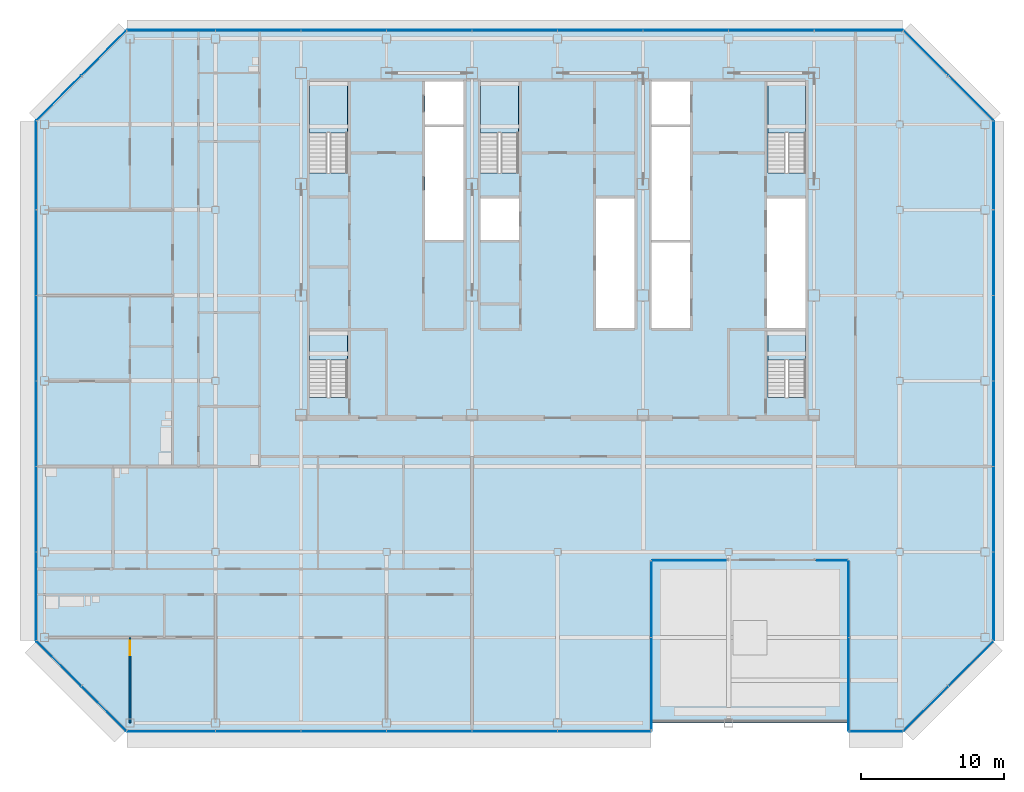
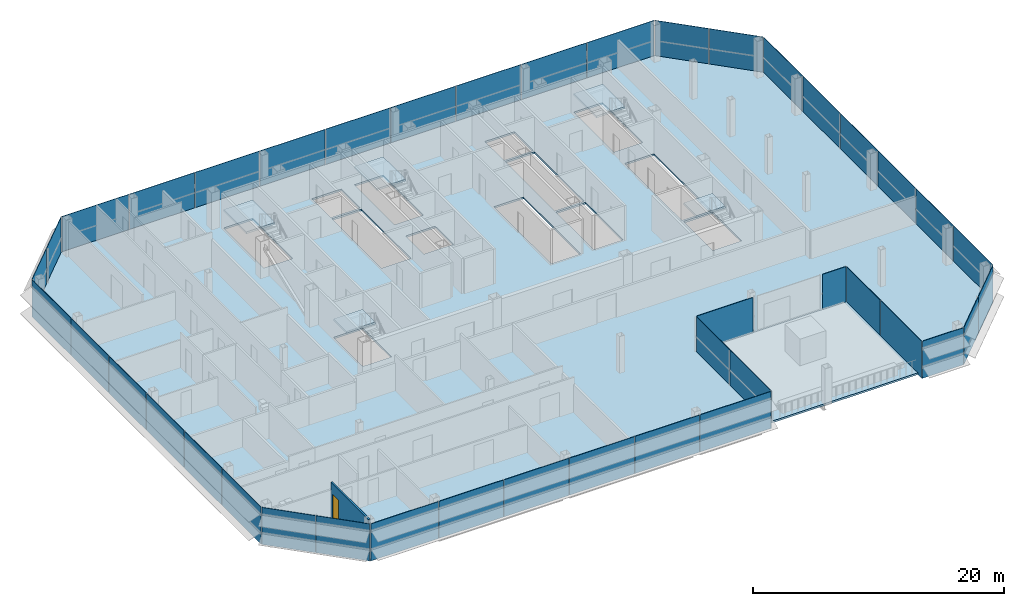
# One storey, part 21 of 30: 42 plates, 7 slabs, 1 door, 1 wall, 1 opening, 17 elements without a shape of their own.
"""IFC4 building model written with IfcOpenShell, lengths in metres."""

from ifc_helpers import new_model, si_unit, direction, frame, frame_2d, origin, origin_2d, place, context, subcontext, project, spatial, polyline, rectangle, outline, extrude, material, layer, layer_set, type_object, element, fill, aggregate, save


model = new_model("IFC4")

# Units and contexts
model_context = context("Model", 3, precision=1e-05, world=origin(), true_north=direction((0.0, 1.0)))
body_context = subcontext(model_context, "Body", "Model", "MODEL_VIEW")
ifc_project = project(units=[si_unit("LENGTHUNIT", "METRE"), si_unit("AREAUNIT", "SQUARE_METRE"), si_unit("VOLUMEUNIT", "CUBIC_METRE"), si_unit("PLANEANGLEUNIT", "RADIAN"), si_unit("MASSUNIT", "GRAM", prefix="KILO")], contexts=[model_context])

# Site, building, storey
site_placement = place(None, origin())
site = spatial("IfcSite", under=ifc_project, at=site_placement, CompositionType="ELEMENT")
building_placement = place(site_placement, origin())
building = spatial("IfcBuilding", under=site, at=building_placement, Name="Sorahane Residences", CompositionType="ELEMENT")
storey_placement = place(building_placement, frame((0.0, 0.0, 263.0)))
storey = spatial("IfcBuildingStorey", under=building, at=storey_placement, Name="L62", CompositionType="ELEMENT", Elevation=263.0)

# Slab
ifc_material_1 = material(Name="Concrete C35", Category="concrete")
ifc_layer_1 = layer(ifc_material_1, 0.179931640625)
ifc_layer_set_1 = layer_set([ifc_layer_1], Name="Composite floor slab 180 mm Concrete C35")
slab_type_1 = type_object("IfcSlabType", Name="Composite floor slab 180 mm Concrete C35", PredefinedType="FLOOR", material=ifc_layer_set_1)
slab_1_placement = place(storey_placement, frame((0.0, 0.0, -0.179931640625)))
element("IfcSlab", 1, at=slab_1_placement, inside=storey, type_object=slab_type_1, Name="Slab L62", PredefinedType="FLOOR", context=body_context, shape_type="SweptSolid", body=[
    extrude(outline(polyline([(-6.24853515625, -0.60009765625), (-12.60009765625, 5.75146484375), (-12.60009765625, 42.24853515625), (-6.24853515625, 48.60009765625), (48.24853515625, 48.60009765625), (54.60009765625, 42.24853515625), (54.60009765625, 5.75146484375), (48.24853515625, -0.60009765625), (44.39990234375, -0.60009765625), (44.39990234375, 11.39990234375), (30.60009765625, 11.39990234375), (30.60009765625, -0.60009765625), (-6.24853515625, -0.60009765625)]), holes=[polyline([(38.699951171875, 27.699951171875), (41.39990234375, 27.699951171875), (41.39990234375, 36.800048828125), (38.699951171875, 36.800048828125), (38.699951171875, 27.699951171875)]), polyline([(30.60009765625, 27.699951171875), (33.300048828125, 27.699951171875), (33.300048828125, 33.699951171875), (30.60009765625, 33.699951171875), (30.60009765625, 27.699951171875)]), polyline([(30.60009765625, 42.0), (33.300048828125, 42.0), (33.300048828125, 45.0), (30.60009765625, 45.0), (30.60009765625, 42.0)]), polyline([(14.699951171875, 42.0), (17.39990234375, 42.0), (17.39990234375, 45.0), (14.699951171875, 45.0), (14.699951171875, 42.0)]), polyline([(9.25, 38.60009765625), (9.25, 45.0), (6.60009765625, 45.0), (6.60009765625, 38.60009765625), (9.25, 38.60009765625)]), polyline([(41.39990234375, 38.60009765625), (41.39990234375, 45.0), (38.75, 45.0), (38.75, 38.60009765625), (41.39990234375, 38.60009765625)]), polyline([(21.25, 38.60009765625), (21.25, 45.0), (18.60009765625, 45.0), (18.60009765625, 38.60009765625), (21.25, 38.60009765625)]), polyline([(9.25, 22.85009765625), (9.25, 27.5), (6.60009765625, 27.5), (6.60009765625, 22.85009765625), (9.25, 22.85009765625)]), polyline([(41.39990234375, 22.85009765625), (41.39990234375, 27.5), (38.75, 27.5), (38.75, 22.85009765625), (41.39990234375, 22.85009765625)]), polyline([(14.699951171875, 33.89990234375), (17.39990234375, 33.89990234375), (17.39990234375, 41.800048828125), (14.699951171875, 41.800048828125), (14.699951171875, 33.89990234375)]), polyline([(30.60009765625, 33.89990234375), (33.300048828125, 33.89990234375), (33.300048828125, 41.800048828125), (30.60009765625, 41.800048828125), (30.60009765625, 33.89990234375)]), polyline([(18.60009765625, 33.89990234375), (21.300048828125, 33.89990234375), (21.300048828125, 36.800048828125), (18.60009765625, 36.800048828125), (18.60009765625, 33.89990234375)]), polyline([(26.699951171875, 27.699951171875), (29.39990234375, 27.699951171875), (29.39990234375, 36.800048828125), (26.699951171875, 36.800048828125), (26.699951171875, 27.699951171875)])]), origin(), (0.0, 0.0, 1.0), 0.179931640625),
])

# Curtain wall, plates
ifc_material_2 = material(Name="Dark low-e glass and black anodised aluminium", Category="aluminium")
curtain_wall_type_1 = type_object("IfcCurtainWallType", Name="Curtain wall CW-1 Typical unitised wall", PredefinedType="NOTDEFINED", material=ifc_material_2)
curtain_wall_1_placement = place(storey_placement, origin())
curtain_wall_1 = element("IfcCurtainWall", 2, at=curtain_wall_1_placement, inside=storey, type_object=curtain_wall_type_1, Name="CW-1 curtain wall L62 S1", PredefinedType="NOTDEFINED")
ifc_material_3 = material(Name="Dark low-e glass with black ceramic frit", Category="glass")
ifc_layer_2 = layer(ifc_material_3, 0.0400390625)
ifc_layer_set_2 = layer_set([ifc_layer_2], Name="Curtain wall glass panel dark low-e with black frit spandrel band")
plate_type = type_object("IfcPlateType", Name="Curtain wall glass panel dark low-e with black frit spandrel band", PredefinedType="CURTAIN_PANEL", material=ifc_layer_set_2)
plate_1_placement = place(storey_placement, frame((-3.11181640625, -0.60009765625, -0.179931640625), z_axis=(0.0, 0.0, 1.0), x_axis=(1.0, 0.0, 0.0)))
plate_1 = element("IfcPlate", 3, at=plate_1_placement, type_object=plate_type, Name="CW-1 glass panel L62 S1.1", PredefinedType="CURTAIN_PANEL", context=body_context, shape_type="SweptSolid", body=[
    extrude(rectangle(XDim=6.173583984375, YDim=0.0400390625, at=origin_2d()), origin(), (0.0, 0.0, 1.0), 3.60009765625),
])
plate_2_placement = place(storey_placement, frame((3.0, -0.60009765625, -0.179931640625), z_axis=(0.0, 0.0, 1.0), x_axis=(1.0, 0.0, 0.0)))
plate_2 = element("IfcPlate", 4, at=plate_2_placement, type_object=plate_type, Name="CW-1 glass panel L62 S1.2", PredefinedType="CURTAIN_PANEL", context=body_context, shape_type="SweptSolid", body=[
    extrude(rectangle(XDim=5.949951171875, YDim=0.0400390625, at=origin_2d()), origin(), (0.0, 0.0, 1.0), 3.60009765625),
])
plate_3_placement = place(storey_placement, frame((9.0, -0.60009765625, -0.179931640625), z_axis=(0.0, 0.0, 1.0), x_axis=(1.0, 0.0, 0.0)))
plate_3 = element("IfcPlate", 5, at=plate_3_placement, type_object=plate_type, Name="CW-1 glass panel L62 S1.3", PredefinedType="CURTAIN_PANEL", context=body_context, shape_type="SweptSolid", body=[
    extrude(rectangle(XDim=5.949951171875, YDim=0.0400390625, at=origin_2d()), origin(), (0.0, 0.0, 1.0), 3.60009765625),
])
plate_4_placement = place(storey_placement, frame((15.0, -0.60009765625, -0.179931640625), z_axis=(0.0, 0.0, 1.0), x_axis=(1.0, 0.0, 0.0)))
plate_4 = element("IfcPlate", 6, at=plate_4_placement, type_object=plate_type, Name="CW-1 glass panel L62 S1.4", PredefinedType="CURTAIN_PANEL", context=body_context, shape_type="SweptSolid", body=[
    extrude(rectangle(XDim=5.949951171875, YDim=0.0400390625, at=origin_2d()), origin(), (0.0, 0.0, 1.0), 3.60009765625),
])
plate_5_placement = place(storey_placement, frame((21.0, -0.60009765625, -0.179931640625), z_axis=(0.0, 0.0, 1.0), x_axis=(1.0, 0.0, 0.0)))
plate_5 = element("IfcPlate", 7, at=plate_5_placement, type_object=plate_type, Name="CW-1 glass panel L62 S1.5", PredefinedType="CURTAIN_PANEL", context=body_context, shape_type="SweptSolid", body=[
    extrude(rectangle(XDim=5.949951171875, YDim=0.0400390625, at=origin_2d()), origin(), (0.0, 0.0, 1.0), 3.60009765625),
])
plate_6_placement = place(storey_placement, frame((27.28759765625, -0.60009765625, -0.179931640625), z_axis=(0.0, 0.0, 1.0), x_axis=(1.0, 0.0, 0.0)))
plate_6 = element("IfcPlate", 8, at=plate_6_placement, type_object=plate_type, Name="CW-1 glass panel L62 S1.6", PredefinedType="CURTAIN_PANEL", context=body_context, shape_type="SweptSolid", body=[
    extrude(rectangle(XDim=6.52490234375, YDim=0.0400390625, at=origin_2d()), origin(), (0.0, 0.0, 1.0), 3.60009765625),
])
aggregate(curtain_wall_1, [plate_1, plate_2, plate_3, plate_4, plate_5, plate_6])

curtain_wall_2_placement = place(storey_placement, origin())
curtain_wall_2 = element("IfcCurtainWall", 9, at=curtain_wall_2_placement, inside=storey, type_object=curtain_wall_type_1, Name="CW-1 curtain wall L62 E1", PredefinedType="NOTDEFINED")
plate_7_placement = place(storey_placement, frame((30.60009765625, 2.71240234375, -0.179931640625), z_axis=(0.0, 0.0, 1.0), x_axis=(0.0, 1.0, 0.0)))
plate_7 = element("IfcPlate", 10, at=plate_7_placement, type_object=plate_type, Name="CW-1 glass panel L62 E1.1", PredefinedType="CURTAIN_PANEL", context=body_context, shape_type="SweptSolid", body=[
    extrude(rectangle(XDim=6.52490234375, YDim=0.0400390625, at=origin_2d()), origin(), (0.0, 0.0, 1.0), 3.60009765625),
])
plate_8_placement = place(storey_placement, frame((30.60009765625, 8.6875, -0.179931640625), z_axis=(0.0, 0.0, 1.0), x_axis=(0.0, 1.0, 0.0)))
plate_8 = element("IfcPlate", 11, at=plate_8_placement, type_object=plate_type, Name="CW-1 glass panel L62 E1.2", PredefinedType="CURTAIN_PANEL", context=body_context, shape_type="SweptSolid", body=[
    extrude(rectangle(XDim=5.324951171875, YDim=0.0400390625, at=origin_2d()), origin(), (0.0, 0.0, 1.0), 3.60009765625),
])
aggregate(curtain_wall_2, [plate_7, plate_8])

curtain_wall_3_placement = place(storey_placement, origin())
curtain_wall_3 = element("IfcCurtainWall", 12, at=curtain_wall_3_placement, inside=storey, type_object=curtain_wall_type_1, Name="CW-1 curtain wall L62 S2", PredefinedType="NOTDEFINED")
plate_9_placement = place(storey_placement, frame((33.22509765625, 11.39990234375, -0.179931640625), z_axis=(0.0, 0.0, 1.0), x_axis=(1.0, 0.0, 0.0)))
plate_9 = element("IfcPlate", 13, at=plate_9_placement, type_object=plate_type, Name="CW-1 glass panel L62 S2.1", PredefinedType="CURTAIN_PANEL", context=body_context, shape_type="SweptSolid", body=[
    extrude(rectangle(XDim=5.14990234375, YDim=0.0400390625, at=origin_2d()), origin(), (0.0, 0.0, 1.0), 3.60009765625),
])
plate_10_placement = place(storey_placement, frame((43.27490234375, 11.39990234375, -0.179931640625), z_axis=(0.0, 0.0, 1.0), x_axis=(1.0, 0.0, 0.0)))
plate_10 = element("IfcPlate", 14, at=plate_10_placement, type_object=plate_type, Name="CW-1 glass panel L62 S2.3", PredefinedType="CURTAIN_PANEL", context=body_context, shape_type="SweptSolid", body=[
    extrude(rectangle(XDim=2.14990234375, YDim=0.0400390625, at=origin_2d()), origin(), (0.0, 0.0, 1.0), 3.60009765625),
])
aggregate(curtain_wall_3, [plate_9, plate_10])

curtain_wall_4_placement = place(storey_placement, origin())
curtain_wall_4 = element("IfcCurtainWall", 15, at=curtain_wall_4_placement, inside=storey, type_object=curtain_wall_type_1, Name="CW-1 curtain wall L62 W1", PredefinedType="NOTDEFINED")
plate_11_placement = place(storey_placement, frame((44.39990234375, 8.6875, -0.179931640625), z_axis=(0.0, 0.0, 1.0), x_axis=(0.0, -1.0, 0.0)))
plate_11 = element("IfcPlate", 16, at=plate_11_placement, type_object=plate_type, Name="CW-1 glass panel L62 W1.1", PredefinedType="CURTAIN_PANEL", context=body_context, shape_type="SweptSolid", body=[
    extrude(rectangle(XDim=5.324951171875, YDim=0.0400390625, at=origin_2d()), origin(), (0.0, 0.0, 1.0), 3.60009765625),
])
plate_12_placement = place(storey_placement, frame((44.39990234375, 2.71240234375, -0.179931640625), z_axis=(0.0, 0.0, 1.0), x_axis=(0.0, -1.0, 0.0)))
plate_12 = element("IfcPlate", 17, at=plate_12_placement, type_object=plate_type, Name="CW-1 glass panel L62 W1.2", PredefinedType="CURTAIN_PANEL", context=body_context, shape_type="SweptSolid", body=[
    extrude(rectangle(XDim=6.52490234375, YDim=0.0400390625, at=origin_2d()), origin(), (0.0, 0.0, 1.0), 3.60009765625),
])
aggregate(curtain_wall_4, [plate_11, plate_12])

# Curtain wall, plate
curtain_wall_5_placement = place(storey_placement, origin())
curtain_wall_5 = element("IfcCurtainWall", 18, at=curtain_wall_5_placement, inside=storey, type_object=curtain_wall_type_1, Name="CW-1 curtain wall L62 S3", PredefinedType="NOTDEFINED")
plate_13_placement = place(storey_placement, frame((46.32421875, -0.60009765625, -0.179931640625), z_axis=(0.0, 0.0, 1.0), x_axis=(1.0, 0.0, 0.0)))
plate_13 = element("IfcPlate", 19, at=plate_13_placement, type_object=plate_type, Name="CW-1 glass panel L62 S3.1", PredefinedType="CURTAIN_PANEL", context=body_context, shape_type="SweptSolid", body=[
    extrude(rectangle(XDim=3.74853515625, YDim=0.0400390625, at=origin_2d()), origin(), (0.0, 0.0, 1.0), 3.60009765625),
])
aggregate(curtain_wall_5, [plate_13])

# Curtain wall, plates
ifc_material_4 = material(Name="Dark low-e glass and black anodised aluminium", Category="aluminium")
curtain_wall_type_2 = type_object("IfcCurtainWallType", Name="Curtain wall CW-2 Chamfer unitised wall", PredefinedType="NOTDEFINED", material=ifc_material_4)
curtain_wall_6_placement = place(storey_placement, origin())
curtain_wall_6 = element("IfcCurtainWall", 20, at=curtain_wall_6_placement, inside=storey, type_object=curtain_wall_type_2, Name="CW-2 curtain wall L62 SE1", PredefinedType="NOTDEFINED")
plate_14_placement = place(storey_placement, frame((49.84521484375, 0.996826171875, -0.179931640625), z_axis=(0.0, 0.0, 1.0), x_axis=(0.707106781187, 0.707106781187, 0.0)))
plate_14 = element("IfcPlate", 21, at=plate_14_placement, type_object=plate_type, Name="CW-2 glass panel L62 SE1.1", PredefinedType="CURTAIN_PANEL", context=body_context, shape_type="SweptSolid", body=[
    extrude(rectangle(XDim=4.416259765625, YDim=0.0400390625, at=origin_2d()), origin(), (0.0, 0.0, 1.0), 3.60009765625),
])
plate_15_placement = place(storey_placement, frame((53.003173828125, 4.15478515625, -0.179931640625), z_axis=(0.0, 0.0, 1.0), x_axis=(0.707106781187, 0.707106781187, 0.0)))
plate_15 = element("IfcPlate", 22, at=plate_15_placement, type_object=plate_type, Name="CW-2 glass panel L62 SE1.2", PredefinedType="CURTAIN_PANEL", context=body_context, shape_type="SweptSolid", body=[
    extrude(rectangle(XDim=4.416259765625, YDim=0.0400390625, at=origin_2d()), origin(), (0.0, 0.0, 1.0), 3.60009765625),
])
aggregate(curtain_wall_6, [plate_14, plate_15])

curtain_wall_7_placement = place(storey_placement, origin())
curtain_wall_7 = element("IfcCurtainWall", 23, at=curtain_wall_7_placement, inside=storey, type_object=curtain_wall_type_1, Name="CW-1 curtain wall L62 E2", PredefinedType="NOTDEFINED")
plate_16_placement = place(storey_placement, frame((54.60009765625, 8.88818359375, -0.179931640625), z_axis=(0.0, 0.0, 1.0), x_axis=(0.0, 1.0, 0.0)))
plate_16 = element("IfcPlate", 24, at=plate_16_placement, type_object=plate_type, Name="CW-1 glass panel L62 E2.1", PredefinedType="CURTAIN_PANEL", context=body_context, shape_type="SweptSolid", body=[
    extrude(rectangle(XDim=6.173583984375, YDim=0.0400390625, at=origin_2d()), origin(), (0.0, 0.0, 1.0), 3.60009765625),
])
plate_17_placement = place(storey_placement, frame((54.60009765625, 15.0, -0.179931640625), z_axis=(0.0, 0.0, 1.0), x_axis=(0.0, 1.0, 0.0)))
plate_17 = element("IfcPlate", 25, at=plate_17_placement, type_object=plate_type, Name="CW-1 glass panel L62 E2.2", PredefinedType="CURTAIN_PANEL", context=body_context, shape_type="SweptSolid", body=[
    extrude(rectangle(XDim=5.949951171875, YDim=0.0400390625, at=origin_2d()), origin(), (0.0, 0.0, 1.0), 3.60009765625),
])
plate_18_placement = place(storey_placement, frame((54.60009765625, 21.0, -0.179931640625), z_axis=(0.0, 0.0, 1.0), x_axis=(0.0, 1.0, 0.0)))
plate_18 = element("IfcPlate", 26, at=plate_18_placement, type_object=plate_type, Name="CW-1 glass panel L62 E2.3", PredefinedType="CURTAIN_PANEL", context=body_context, shape_type="SweptSolid", body=[
    extrude(rectangle(XDim=5.949951171875, YDim=0.0400390625, at=origin_2d()), origin(), (0.0, 0.0, 1.0), 3.60009765625),
])
plate_19_placement = place(storey_placement, frame((54.60009765625, 27.0, -0.179931640625), z_axis=(0.0, 0.0, 1.0), x_axis=(0.0, 1.0, 0.0)))
plate_19 = element("IfcPlate", 27, at=plate_19_placement, type_object=plate_type, Name="CW-1 glass panel L62 E2.4", PredefinedType="CURTAIN_PANEL", context=body_context, shape_type="SweptSolid", body=[
    extrude(rectangle(XDim=5.949951171875, YDim=0.0400390625, at=origin_2d()), origin(), (0.0, 0.0, 1.0), 3.60009765625),
])
plate_20_placement = place(storey_placement, frame((54.60009765625, 33.0, -0.179931640625), z_axis=(0.0, 0.0, 1.0), x_axis=(0.0, 1.0, 0.0)))
plate_20 = element("IfcPlate", 28, at=plate_20_placement, type_object=plate_type, Name="CW-1 glass panel L62 E2.5", PredefinedType="CURTAIN_PANEL", context=body_context, shape_type="SweptSolid", body=[
    extrude(rectangle(XDim=5.949951171875, YDim=0.0400390625, at=origin_2d()), origin(), (0.0, 0.0, 1.0), 3.60009765625),
])
plate_21_placement = place(storey_placement, frame((54.60009765625, 39.11181640625, -0.179931640625), z_axis=(0.0, 0.0, 1.0), x_axis=(0.0, 1.0, 0.0)))
plate_21 = element("IfcPlate", 29, at=plate_21_placement, type_object=plate_type, Name="CW-1 glass panel L62 E2.6", PredefinedType="CURTAIN_PANEL", context=body_context, shape_type="SweptSolid", body=[
    extrude(rectangle(XDim=6.173583984375, YDim=0.0400390625, at=origin_2d()), origin(), (0.0, 0.0, 1.0), 3.60009765625),
])
aggregate(curtain_wall_7, [plate_16, plate_17, plate_18, plate_19, plate_20, plate_21])

curtain_wall_8_placement = place(storey_placement, origin())
curtain_wall_8 = element("IfcCurtainWall", 30, at=curtain_wall_8_placement, inside=storey, type_object=curtain_wall_type_2, Name="CW-2 curtain wall L62 NE1", PredefinedType="NOTDEFINED")
plate_22_placement = place(storey_placement, frame((53.003173828125, 43.84521484375, -0.179931640625), z_axis=(0.0, 0.0, 1.0), x_axis=(-0.707106781187, 0.707106781187, 0.0)))
plate_22 = element("IfcPlate", 31, at=plate_22_placement, type_object=plate_type, Name="CW-2 glass panel L62 NE1.1", PredefinedType="CURTAIN_PANEL", context=body_context, shape_type="SweptSolid", body=[
    extrude(rectangle(XDim=4.416259765625, YDim=0.0400390625, at=origin_2d()), origin(), (0.0, 0.0, 1.0), 3.60009765625),
])
plate_23_placement = place(storey_placement, frame((49.84521484375, 47.003173828125, -0.179931640625), z_axis=(0.0, 0.0, 1.0), x_axis=(-0.707106781187, 0.707106781187, 0.0)))
plate_23 = element("IfcPlate", 32, at=plate_23_placement, type_object=plate_type, Name="CW-2 glass panel L62 NE1.2", PredefinedType="CURTAIN_PANEL", context=body_context, shape_type="SweptSolid", body=[
    extrude(rectangle(XDim=4.416259765625, YDim=0.0400390625, at=origin_2d()), origin(), (0.0, 0.0, 1.0), 3.60009765625),
])
aggregate(curtain_wall_8, [plate_22, plate_23])

curtain_wall_9_placement = place(storey_placement, origin())
curtain_wall_9 = element("IfcCurtainWall", 33, at=curtain_wall_9_placement, inside=storey, type_object=curtain_wall_type_1, Name="CW-1 curtain wall L62 N1", PredefinedType="NOTDEFINED")
plate_24_placement = place(storey_placement, frame((45.11181640625, 48.60009765625, -0.179931640625), z_axis=(0.0, 0.0, 1.0), x_axis=(-1.0, 0.0, 0.0)))
plate_24 = element("IfcPlate", 34, at=plate_24_placement, type_object=plate_type, Name="CW-1 glass panel L62 N1.1", PredefinedType="CURTAIN_PANEL", context=body_context, shape_type="SweptSolid", body=[
    extrude(rectangle(XDim=6.173583984375, YDim=0.0400390625, at=origin_2d()), origin(), (0.0, 0.0, 1.0), 3.60009765625),
])
plate_25_placement = place(storey_placement, frame((39.0, 48.60009765625, -0.179931640625), z_axis=(0.0, 0.0, 1.0), x_axis=(-1.0, 0.0, 0.0)))
plate_25 = element("IfcPlate", 35, at=plate_25_placement, type_object=plate_type, Name="CW-1 glass panel L62 N1.2", PredefinedType="CURTAIN_PANEL", context=body_context, shape_type="SweptSolid", body=[
    extrude(rectangle(XDim=5.949951171875, YDim=0.0400390625, at=origin_2d()), origin(), (0.0, 0.0, 1.0), 3.60009765625),
])
plate_26_placement = place(storey_placement, frame((33.0, 48.60009765625, -0.179931640625), z_axis=(0.0, 0.0, 1.0), x_axis=(-1.0, 0.0, 0.0)))
plate_26 = element("IfcPlate", 36, at=plate_26_placement, type_object=plate_type, Name="CW-1 glass panel L62 N1.3", PredefinedType="CURTAIN_PANEL", context=body_context, shape_type="SweptSolid", body=[
    extrude(rectangle(XDim=5.949951171875, YDim=0.0400390625, at=origin_2d()), origin(), (0.0, 0.0, 1.0), 3.60009765625),
])
plate_27_placement = place(storey_placement, frame((27.0, 48.60009765625, -0.179931640625), z_axis=(0.0, 0.0, 1.0), x_axis=(-1.0, 0.0, 0.0)))
plate_27 = element("IfcPlate", 37, at=plate_27_placement, type_object=plate_type, Name="CW-1 glass panel L62 N1.4", PredefinedType="CURTAIN_PANEL", context=body_context, shape_type="SweptSolid", body=[
    extrude(rectangle(XDim=5.949951171875, YDim=0.0400390625, at=origin_2d()), origin(), (0.0, 0.0, 1.0), 3.60009765625),
])
plate_28_placement = place(storey_placement, frame((21.0, 48.60009765625, -0.179931640625), z_axis=(0.0, 0.0, 1.0), x_axis=(-1.0, 0.0, 0.0)))
plate_28 = element("IfcPlate", 38, at=plate_28_placement, type_object=plate_type, Name="CW-1 glass panel L62 N1.5", PredefinedType="CURTAIN_PANEL", context=body_context, shape_type="SweptSolid", body=[
    extrude(rectangle(XDim=5.949951171875, YDim=0.0400390625, at=origin_2d()), origin(), (0.0, 0.0, 1.0), 3.60009765625),
])
plate_29_placement = place(storey_placement, frame((15.0, 48.60009765625, -0.179931640625), z_axis=(0.0, 0.0, 1.0), x_axis=(-1.0, 0.0, 0.0)))
plate_29 = element("IfcPlate", 39, at=plate_29_placement, type_object=plate_type, Name="CW-1 glass panel L62 N1.6", PredefinedType="CURTAIN_PANEL", context=body_context, shape_type="SweptSolid", body=[
    extrude(rectangle(XDim=5.949951171875, YDim=0.0400390625, at=origin_2d()), origin(), (0.0, 0.0, 1.0), 3.60009765625),
])
plate_30_placement = place(storey_placement, frame((9.0, 48.60009765625, -0.179931640625), z_axis=(0.0, 0.0, 1.0), x_axis=(-1.0, 0.0, 0.0)))
plate_30 = element("IfcPlate", 40, at=plate_30_placement, type_object=plate_type, Name="CW-1 glass panel L62 N1.7", PredefinedType="CURTAIN_PANEL", context=body_context, shape_type="SweptSolid", body=[
    extrude(rectangle(XDim=5.949951171875, YDim=0.0400390625, at=origin_2d()), origin(), (0.0, 0.0, 1.0), 3.60009765625),
])
plate_31_placement = place(storey_placement, frame((3.0, 48.60009765625, -0.179931640625), z_axis=(0.0, 0.0, 1.0), x_axis=(-1.0, 0.0, 0.0)))
plate_31 = element("IfcPlate", 41, at=plate_31_placement, type_object=plate_type, Name="CW-1 glass panel L62 N1.8", PredefinedType="CURTAIN_PANEL", context=body_context, shape_type="SweptSolid", body=[
    extrude(rectangle(XDim=5.949951171875, YDim=0.0400390625, at=origin_2d()), origin(), (0.0, 0.0, 1.0), 3.60009765625),
])
plate_32_placement = place(storey_placement, frame((-3.11181640625, 48.60009765625, -0.179931640625), z_axis=(0.0, 0.0, 1.0), x_axis=(-1.0, 0.0, 0.0)))
plate_32 = element("IfcPlate", 42, at=plate_32_placement, type_object=plate_type, Name="CW-1 glass panel L62 N1.9", PredefinedType="CURTAIN_PANEL", context=body_context, shape_type="SweptSolid", body=[
    extrude(rectangle(XDim=6.173583984375, YDim=0.0400390625, at=origin_2d()), origin(), (0.0, 0.0, 1.0), 3.60009765625),
])
aggregate(curtain_wall_9, [plate_24, plate_25, plate_26, plate_27, plate_28, plate_29, plate_30, plate_31, plate_32])

curtain_wall_10_placement = place(storey_placement, origin())
curtain_wall_10 = element("IfcCurtainWall", 43, at=curtain_wall_10_placement, inside=storey, type_object=curtain_wall_type_2, Name="CW-2 curtain wall L62 NW1", PredefinedType="NOTDEFINED")
plate_33_placement = place(storey_placement, frame((-7.84521484375, 47.003173828125, -0.179931640625), z_axis=(0.0, 0.0, 1.0), x_axis=(-0.707106781187, -0.707106781187, 0.0)))
plate_33 = element("IfcPlate", 44, at=plate_33_placement, type_object=plate_type, Name="CW-2 glass panel L62 NW1.1", PredefinedType="CURTAIN_PANEL", context=body_context, shape_type="SweptSolid", body=[
    extrude(rectangle(XDim=4.416259765625, YDim=0.0400390625, at=origin_2d()), origin(), (0.0, 0.0, 1.0), 3.60009765625),
])
plate_34_placement = place(storey_placement, frame((-11.003173828125, 43.84521484375, -0.179931640625), z_axis=(0.0, 0.0, 1.0), x_axis=(-0.707106781187, -0.707106781187, 0.0)))
plate_34 = element("IfcPlate", 45, at=plate_34_placement, type_object=plate_type, Name="CW-2 glass panel L62 NW1.2", PredefinedType="CURTAIN_PANEL", context=body_context, shape_type="SweptSolid", body=[
    extrude(rectangle(XDim=4.416259765625, YDim=0.0400390625, at=origin_2d()), origin(), (0.0, 0.0, 1.0), 3.60009765625),
])
aggregate(curtain_wall_10, [plate_33, plate_34])

curtain_wall_11_placement = place(storey_placement, origin())
curtain_wall_11 = element("IfcCurtainWall", 46, at=curtain_wall_11_placement, inside=storey, type_object=curtain_wall_type_1, Name="CW-1 curtain wall L62 W2", PredefinedType="NOTDEFINED")
plate_35_placement = place(storey_placement, frame((-12.60009765625, 39.11181640625, -0.179931640625), z_axis=(0.0, 0.0, 1.0), x_axis=(0.0, -1.0, 0.0)))
plate_35 = element("IfcPlate", 47, at=plate_35_placement, type_object=plate_type, Name="CW-1 glass panel L62 W2.1", PredefinedType="CURTAIN_PANEL", context=body_context, shape_type="SweptSolid", body=[
    extrude(rectangle(XDim=6.173583984375, YDim=0.0400390625, at=origin_2d()), origin(), (0.0, 0.0, 1.0), 3.60009765625),
])
plate_36_placement = place(storey_placement, frame((-12.60009765625, 33.0, -0.179931640625), z_axis=(0.0, 0.0, 1.0), x_axis=(0.0, -1.0, 0.0)))
plate_36 = element("IfcPlate", 48, at=plate_36_placement, type_object=plate_type, Name="CW-1 glass panel L62 W2.2", PredefinedType="CURTAIN_PANEL", context=body_context, shape_type="SweptSolid", body=[
    extrude(rectangle(XDim=5.949951171875, YDim=0.0400390625, at=origin_2d()), origin(), (0.0, 0.0, 1.0), 3.60009765625),
])
plate_37_placement = place(storey_placement, frame((-12.60009765625, 27.0, -0.179931640625), z_axis=(0.0, 0.0, 1.0), x_axis=(0.0, -1.0, 0.0)))
plate_37 = element("IfcPlate", 49, at=plate_37_placement, type_object=plate_type, Name="CW-1 glass panel L62 W2.3", PredefinedType="CURTAIN_PANEL", context=body_context, shape_type="SweptSolid", body=[
    extrude(rectangle(XDim=5.949951171875, YDim=0.0400390625, at=origin_2d()), origin(), (0.0, 0.0, 1.0), 3.60009765625),
])
plate_38_placement = place(storey_placement, frame((-12.60009765625, 21.0, -0.179931640625), z_axis=(0.0, 0.0, 1.0), x_axis=(0.0, -1.0, 0.0)))
plate_38 = element("IfcPlate", 50, at=plate_38_placement, type_object=plate_type, Name="CW-1 glass panel L62 W2.4", PredefinedType="CURTAIN_PANEL", context=body_context, shape_type="SweptSolid", body=[
    extrude(rectangle(XDim=5.949951171875, YDim=0.0400390625, at=origin_2d()), origin(), (0.0, 0.0, 1.0), 3.60009765625),
])
plate_39_placement = place(storey_placement, frame((-12.60009765625, 15.0, -0.179931640625), z_axis=(0.0, 0.0, 1.0), x_axis=(0.0, -1.0, 0.0)))
plate_39 = element("IfcPlate", 51, at=plate_39_placement, type_object=plate_type, Name="CW-1 glass panel L62 W2.5", PredefinedType="CURTAIN_PANEL", context=body_context, shape_type="SweptSolid", body=[
    extrude(rectangle(XDim=5.949951171875, YDim=0.0400390625, at=origin_2d()), origin(), (0.0, 0.0, 1.0), 3.60009765625),
])
plate_40_placement = place(storey_placement, frame((-12.60009765625, 8.88818359375, -0.179931640625), z_axis=(0.0, 0.0, 1.0), x_axis=(0.0, -1.0, 0.0)))
plate_40 = element("IfcPlate", 52, at=plate_40_placement, type_object=plate_type, Name="CW-1 glass panel L62 W2.6", PredefinedType="CURTAIN_PANEL", context=body_context, shape_type="SweptSolid", body=[
    extrude(rectangle(XDim=6.173583984375, YDim=0.0400390625, at=origin_2d()), origin(), (0.0, 0.0, 1.0), 3.60009765625),
])
aggregate(curtain_wall_11, [plate_35, plate_36, plate_37, plate_38, plate_39, plate_40])

curtain_wall_12_placement = place(storey_placement, origin())
curtain_wall_12 = element("IfcCurtainWall", 53, at=curtain_wall_12_placement, inside=storey, type_object=curtain_wall_type_2, Name="CW-2 curtain wall L62 SW1", PredefinedType="NOTDEFINED")
plate_41_placement = place(storey_placement, frame((-11.003173828125, 4.15478515625, -0.179931640625), z_axis=(0.0, 0.0, 1.0), x_axis=(0.707106781187, -0.707106781187, 0.0)))
plate_41 = element("IfcPlate", 54, at=plate_41_placement, type_object=plate_type, Name="CW-2 glass panel L62 SW1.1", PredefinedType="CURTAIN_PANEL", context=body_context, shape_type="SweptSolid", body=[
    extrude(rectangle(XDim=4.416259765625, YDim=0.0400390625, at=origin_2d()), origin(), (0.0, 0.0, 1.0), 3.60009765625),
])
plate_42_placement = place(storey_placement, frame((-7.84521484375, 0.996826171875, -0.179931640625), z_axis=(0.0, 0.0, 1.0), x_axis=(0.707106781187, -0.707106781187, 0.0)))
plate_42 = element("IfcPlate", 55, at=plate_42_placement, type_object=plate_type, Name="CW-2 glass panel L62 SW1.2", PredefinedType="CURTAIN_PANEL", context=body_context, shape_type="SweptSolid", body=[
    extrude(rectangle(XDim=4.416259765625, YDim=0.0400390625, at=origin_2d()), origin(), (0.0, 0.0, 1.0), 3.60009765625),
])
aggregate(curtain_wall_12, [plate_41, plate_42])

# Stair, slab
ifc_material_5 = material(Name="Concrete C40", Category="concrete")
stair_type = type_object("IfcStairType", Name="Dog-leg stair 1250 Concrete C40", PredefinedType="HALF_TURN_STAIR", material=ifc_material_5)
stair_1_placement = place(storey_placement, origin())
stair_1 = element("IfcStair", 56, at=stair_1_placement, inside=storey, type_object=stair_type, Name="L62 Stair S1", PredefinedType="HALF_TURN_STAIR")
ifc_material_6 = material(Name="Concrete C40", Category="concrete")
ifc_layer_3 = layer(ifc_material_6, 0.199951171875)
ifc_layer_set_3 = layer_set([ifc_layer_3], Name="Stair landing 200 Concrete C40")
slab_type_2 = type_object("IfcSlabType", Name="Stair landing 200 Concrete C40", PredefinedType="LANDING", material=ifc_layer_set_3)
slab_2_placement = place(storey_placement, frame((0.0, 0.0, 1.60009765625)))
slab_2 = element("IfcSlab", 57, at=slab_2_placement, type_object=slab_type_2, Name="S1 landing 1", PredefinedType="LANDING", context=body_context, shape_type="SweptSolid", body=[
    extrude(outline(polyline([(9.25, 41.39990234375), (9.25, 45.0), (6.60009765625, 45.0), (6.60009765625, 41.39990234375), (9.25, 41.39990234375)])), origin(), (0.0, 0.0, 1.0), 0.199951171875),
])
aggregate(stair_1, [slab_2])

stair_2_placement = place(storey_placement, origin())
stair_2 = element("IfcStair", 58, at=stair_2_placement, inside=storey, type_object=stair_type, Name="L62 Stair S2", PredefinedType="HALF_TURN_STAIR")
slab_3_placement = place(storey_placement, frame((0.0, 0.0, 1.60009765625)))
slab_3 = element("IfcSlab", 59, at=slab_3_placement, type_object=slab_type_2, Name="S2 landing 1", PredefinedType="LANDING", context=body_context, shape_type="SweptSolid", body=[
    extrude(outline(polyline([(41.39990234375, 41.39990234375), (41.39990234375, 45.0), (38.75, 45.0), (38.75, 41.39990234375), (41.39990234375, 41.39990234375)])), origin(), (0.0, 0.0, 1.0), 0.199951171875),
])
aggregate(stair_2, [slab_3])

stair_3_placement = place(storey_placement, origin())
stair_3 = element("IfcStair", 60, at=stair_3_placement, inside=storey, type_object=stair_type, Name="L62 Stair S3", PredefinedType="HALF_TURN_STAIR")
slab_4_placement = place(storey_placement, frame((0.0, 0.0, 1.60009765625)))
slab_4 = element("IfcSlab", 61, at=slab_4_placement, type_object=slab_type_2, Name="S3 landing 1", PredefinedType="LANDING", context=body_context, shape_type="SweptSolid", body=[
    extrude(outline(polyline([(21.25, 41.39990234375), (21.25, 45.0), (18.60009765625, 45.0), (18.60009765625, 41.39990234375), (21.25, 41.39990234375)])), origin(), (0.0, 0.0, 1.0), 0.199951171875),
])
aggregate(stair_3, [slab_4])

stair_4_placement = place(storey_placement, origin())
stair_4 = element("IfcStair", 62, at=stair_4_placement, inside=storey, type_object=stair_type, Name="L62 Stair S4", PredefinedType="HALF_TURN_STAIR")
slab_5_placement = place(storey_placement, frame((0.0, 0.0, 1.60009765625)))
slab_5 = element("IfcSlab", 63, at=slab_5_placement, type_object=slab_type_2, Name="S4 landing 1", PredefinedType="LANDING", context=body_context, shape_type="SweptSolid", body=[
    extrude(outline(polyline([(9.25, 25.449951171875), (9.25, 27.5), (6.60009765625, 27.5), (6.60009765625, 25.449951171875), (9.25, 25.449951171875)])), origin(), (0.0, 0.0, 1.0), 0.199951171875),
])
aggregate(stair_4, [slab_5])

stair_5_placement = place(storey_placement, origin())
stair_5 = element("IfcStair", 64, at=stair_5_placement, inside=storey, type_object=stair_type, Name="L62 Stair S5", PredefinedType="HALF_TURN_STAIR")
slab_6_placement = place(storey_placement, frame((0.0, 0.0, 1.60009765625)))
slab_6 = element("IfcSlab", 65, at=slab_6_placement, type_object=slab_type_2, Name="S5 landing 1", PredefinedType="LANDING", context=body_context, shape_type="SweptSolid", body=[
    extrude(outline(polyline([(41.39990234375, 25.449951171875), (41.39990234375, 27.5), (38.75, 27.5), (38.75, 25.449951171875), (41.39990234375, 25.449951171875)])), origin(), (0.0, 0.0, 1.0), 0.199951171875),
])
aggregate(stair_5, [slab_6])

# Slab
ifc_material_7 = material(Name="Concrete C35", Category="concrete")
ifc_layer_4 = layer(ifc_material_7, 0.179931640625)
ifc_layer_set_4 = layer_set([ifc_layer_4], Name="Terrace slab Concrete C35 paved")
slab_type_3 = type_object("IfcSlabType", Name="Terrace slab Concrete C35 paved", PredefinedType="FLOOR", material=ifc_layer_set_4)
slab_7_placement = place(storey_placement, frame((0.0, 0.0, -0.179931640625)))
element("IfcSlab", 66, at=slab_7_placement, inside=storey, type_object=slab_type_3, Name="Terrace slab L62.1", PredefinedType="FLOOR", context=body_context, shape_type="SweptSolid", body=[
    extrude(outline(polyline([(30.60009765625, 0.0), (30.60009765625, 11.39990234375), (44.39990234375, 11.39990234375), (44.39990234375, 0.0), (30.60009765625, 0.0)])), origin(), (0.0, 0.0, 1.0), 0.179931640625),
])

# Wall, opening, door
ifc_material_8 = material(Name="Gypsum board partition on steel studs", Category="steel")
ifc_layer_5 = layer(ifc_material_8, 0.14990234375)
ifc_layer_set_5 = layer_set([ifc_layer_5], Name="Partition 150 EI 90")
wall_type = type_object("IfcWallType", Name="Partition 150 EI 90", PredefinedType="PARTITIONING", material=ifc_layer_set_5)
wall_placement = place(storey_placement, frame((-6.0, 0.0, 0.0), z_axis=(0.0, 0.0, 1.0), x_axis=(0.0, 1.0, 0.0)))
wall = element("IfcWall", 67, at=wall_placement, inside=storey, type_object=wall_type, Name="L62 partition", PredefinedType="PARTITIONING", context=body_context, shape_type="SweptSolid", body=[
    extrude(rectangle(XDim=6.0, YDim=0.14990234375, at=frame_2d((3.0, 0.0))), origin(), (0.0, 0.0, 1.0), 3.419921875),
])
opening_placement = place(wall_placement, frame((4.75, 0.0, 0.0)))
opening = element("IfcOpeningElement", 68, at=opening_placement, cuts=wall, Name="Opening L62-10", PredefinedType="OPENING", context=body_context, shape_type="SweptSolid", body=[
    extrude(rectangle(XDim=1.0, YDim=2.39990234375, at=frame_2d((0.5, 1.199951171875))), frame((0.0, 0.0849609375, 0.0), z_axis=(0.0, -1.0, 0.0), x_axis=(1.0, 0.0, 0.0)), (0.0, 0.0, 1.0), 0.169921875),
])
ifc_material_9 = material(Name="Timber veneered fire door", Category="wood")
door_type = type_object("IfcDoorType", Name="Room door 1000x2400 FD30", OperationType="NOTDEFINED", PredefinedType="DOOR", material=ifc_material_9)
door_placement = place(opening_placement, origin())
door = element("IfcDoor", 69, at=door_placement, inside=storey, type_object=door_type, Name="Room door L62-10", OperationType="SINGLE_SWING_LEFT", OverallHeight=2.39990234375, OverallWidth=1.0, PredefinedType="DOOR", context=body_context, shape_type="SweptSolid", body=[
    extrude(rectangle(XDim=1.0, YDim=2.39990234375, at=frame_2d((0.5, 1.199951171875))), frame((0.0, 0.02490234375, 0.0), z_axis=(0.0, -1.0, 0.0), x_axis=(1.0, 0.0, 0.0)), (0.0, 0.0, 1.0), 0.050048828125),
])
fill(opening, door)

save(model, "model.ifc")
